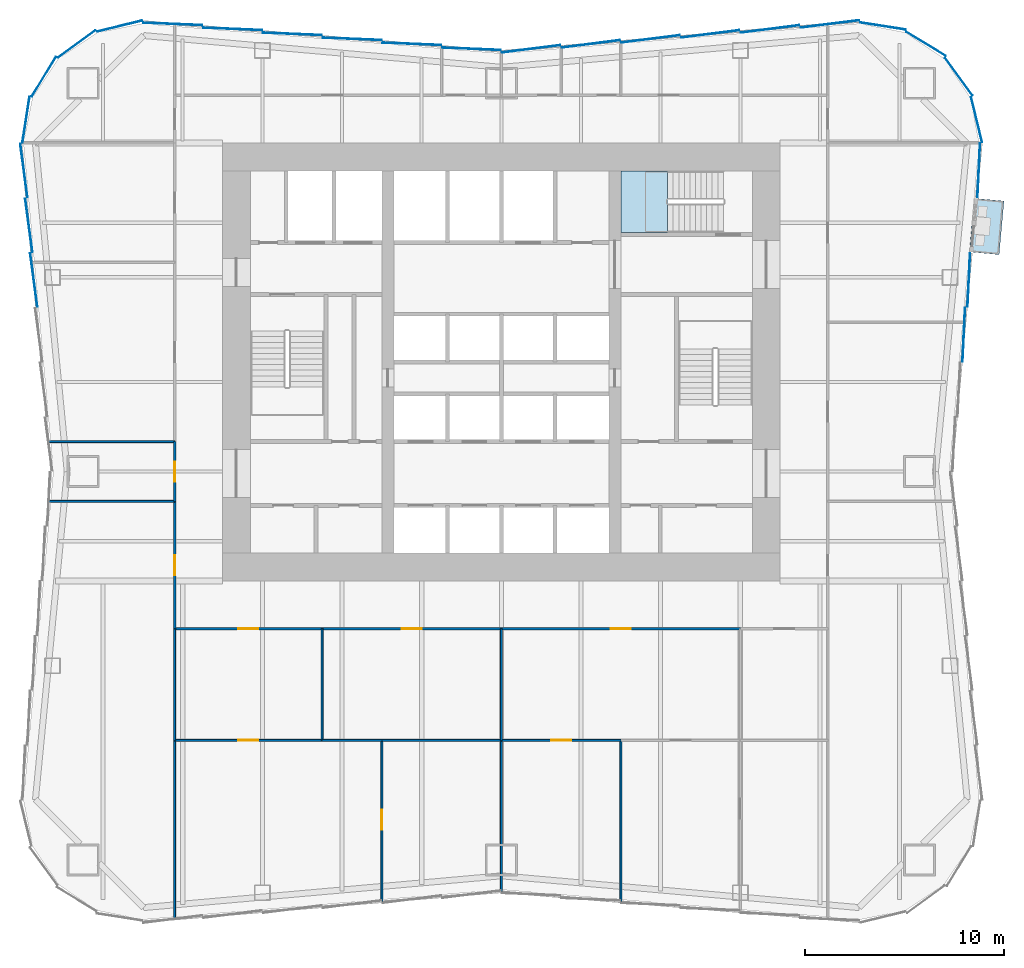
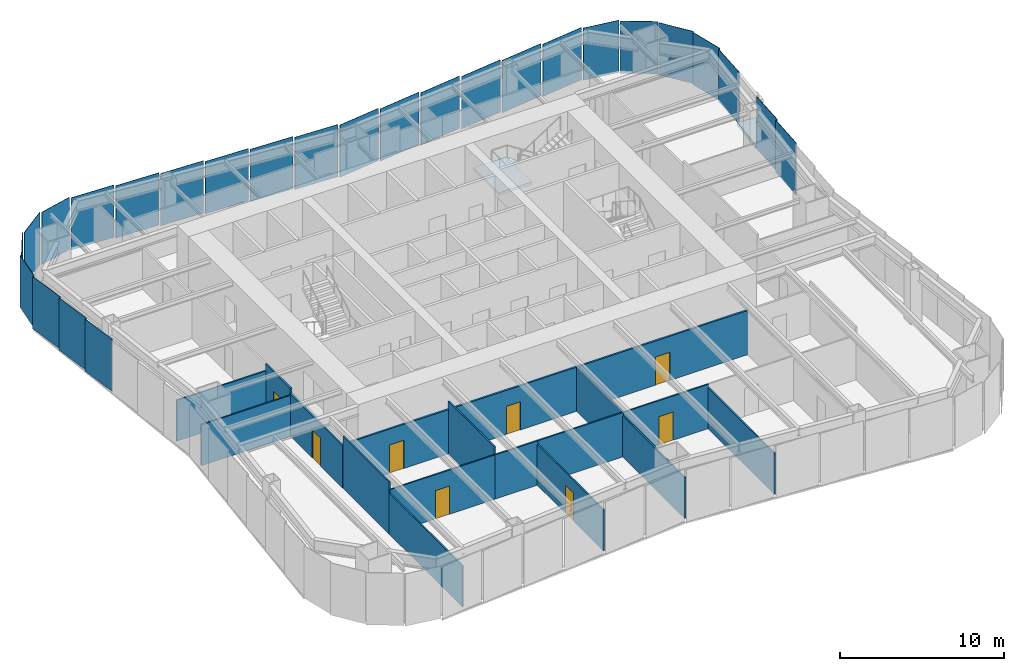
# One storey, part 3 of 8: 26 plates, 18 walls, 8 doors, 2 slabs, 8 openings, 6 elements without a shape of their own.
"""IFC4 building model written with IfcOpenShell, lengths in metres."""

from ifc_helpers import new_model, si_unit, direction, frame, frame_2d, origin, origin_2d, place, context, subcontext, project, spatial, polyline, rectangle, outline, extrude, material, layer, layer_set, type_object, element, fill, aggregate, save


model = new_model("IFC4")

# Units and contexts
model_context = context("Model", 3, precision=1e-05, world=origin(), true_north=direction((0.0, 1.0)))
body_context = subcontext(model_context, "Body", "Model", "MODEL_VIEW")
ifc_project = project(units=[si_unit("LENGTHUNIT", "METRE"), si_unit("AREAUNIT", "SQUARE_METRE"), si_unit("VOLUMEUNIT", "CUBIC_METRE"), si_unit("PLANEANGLEUNIT", "RADIAN"), si_unit("MASSUNIT", "GRAM", prefix="KILO")], contexts=[model_context])

# Site, building, storey
site_placement = place(None, origin())
site = spatial("IfcSite", under=ifc_project, at=site_placement, CompositionType="ELEMENT")
building_placement = place(site_placement, origin())
building = spatial("IfcBuilding", under=site, at=building_placement, Name="Verdant Reach Tower", CompositionType="ELEMENT")
storey_placement = place(building_placement, frame((0.0, 0.0, 18.0)))
storey = spatial("IfcBuildingStorey", under=building, at=storey_placement, Name="L03", CompositionType="ELEMENT", Elevation=18.0)

# Stair, slab
ifc_material_1 = material(Name="Concrete C40/50", Category="concrete")
stair_type = type_object("IfcStairType", Name="CO-STAIR", PredefinedType="HALF_TURN_STAIR", material=ifc_material_1)
stair_placement = place(storey_placement, origin())
stair = element("IfcStair", 1, at=stair_placement, inside=storey, type_object=stair_type, Name="L03 Exit stair 3", PredefinedType="HALF_TURN_STAIR")
ifc_layer_1 = layer(ifc_material_1, 0.199951171875)
ifc_layer_set_1 = layer_set([ifc_layer_1], Name="CO-STAIR-LANDING")
slab_type_1 = type_object("IfcSlabType", Name="CO-STAIR-LANDING", PredefinedType="LANDING", material=ifc_layer_set_1)
slab_1_placement = place(storey_placement, frame((0.0, 0.0, 1.800048828125)))
slab_1 = element("IfcSlab", 2, at=slab_1_placement, type_object=slab_type_1, Name="ST-3 landing 1", PredefinedType="LANDING", context=body_context, shape_type="SweptSolid", body=[
    extrude(outline(polyline([(8.35009765625, 37.60009765625), (6.0, 37.60009765625), (6.0, 34.5), (8.35009765625, 34.5), (8.35009765625, 37.60009765625)])), origin(), (0.0, 0.0, 1.0), 0.199951171875),
])
aggregate(stair, [slab_1])

# Slab
ifc_material_2 = material(Name="Concrete C35/45", Category="concrete")
ifc_layer_2 = layer(ifc_material_2, 0.25)
ifc_layer_set_2 = layer_set([ifc_layer_2], Name="EN-BALCONY SLAB")
slab_type_2 = type_object("IfcSlabType", Name="EN-BALCONY SLAB", PredefinedType="FLOOR", material=ifc_layer_set_2)
slab_2_placement = place(storey_placement, frame((0.0, 0.0, -0.25)))
element("IfcSlab", 3, at=slab_2_placement, inside=storey, type_object=slab_type_2, Name="Balcony slab 1, L03", PredefinedType="FLOOR", context=body_context, shape_type="SweptSolid", body=[
    extrude(outline(polyline([(23.502685546875, 33.52978515625), (23.747314453125, 36.22021484375), (25.2412109375, 36.084228515625), (24.99658203125, 33.39404296875), (23.502685546875, 33.52978515625)])), origin(), (0.0, 0.0, 1.0), 0.25),
])

# Curtain wall, plates
ifc_material_3 = material(Name="Anodised aluminium", Category="aluminium")
curtain_wall_type = type_object("IfcCurtainWallType", Name="EN-CW SYSTEM Z0", PredefinedType="NOTDEFINED", material=ifc_material_3)
curtain_wall_1_placement = place(storey_placement, origin())
curtain_wall_1 = element("IfcCurtainWall", 4, at=curtain_wall_1_placement, inside=storey, type_object=curtain_wall_type, Name="Curtain wall east, L03", PredefinedType="NOTDEFINED")
ifc_material_4 = material(Name="Tinted glass with champagne spandrel", Category="glass")
ifc_layer_3 = layer(ifc_material_4, 0.031982421875)
ifc_layer_set_3 = layer_set([ifc_layer_3], Name="EN-PANEL CHAMPAGNE")
plate_type_1 = type_object("IfcPlateType", Name="EN-PANEL CHAMPAGNE", PredefinedType="CURTAIN_PANEL", material=ifc_layer_set_3)
plate_1_placement = place(storey_placement, frame((23.224609375, 29.365966796875, -0.22998046875), z_axis=(0.0, 0.0, 1.0), x_axis=(0.04875265175, 0.998810882473, 0.0)))
plate_1 = element("IfcPlate", 5, at=plate_1_placement, type_object=plate_type_1, Name="Glass panel east face part 2 3.1, L03", PredefinedType="CURTAIN_PANEL", context=body_context, shape_type="SweptSolid", body=[
    extrude(rectangle(XDim=2.705322265625, YDim=0.031982421875, at=origin_2d()), origin(), (0.0, 0.0, 1.0), 3.8798828125),
])
plate_2_placement = place(storey_placement, frame((23.474609375, 32.115966796875, -0.22998046875), z_axis=(0.0, 0.0, 1.0), x_axis=(0.04875265175, 0.998810882473, 0.0)))
plate_2 = element("IfcPlate", 6, at=plate_2_placement, type_object=plate_type_1, Name="Glass panel east face part 2 4.1, L03", PredefinedType="CURTAIN_PANEL", context=body_context, shape_type="SweptSolid", body=[
    extrude(rectangle(XDim=2.705322265625, YDim=0.031982421875, at=origin_2d()), origin(), (0.0, 0.0, 1.0), 3.8798828125),
])

curtain_wall_2_placement = place(storey_placement, origin())
curtain_wall_2 = element("IfcCurtainWall", 7, at=curtain_wall_2_placement, inside=storey, type_object=curtain_wall_type, Name="Curtain wall north-east corner, L03", PredefinedType="NOTDEFINED")
plate_3_placement = place(storey_placement, frame((23.86767578125, 40.169921875, -0.22998046875), z_axis=(0.0, 0.0, 1.0), x_axis=(-0.236346786246, 0.97166876899, 0.0)))
plate_3 = element("IfcPlate", 8, at=plate_3_placement, type_object=plate_type_1, Name="Glass panel north-east corner 1.1, L03", PredefinedType="CURTAIN_PANEL", context=body_context, shape_type="SweptSolid", body=[
    extrude(rectangle(XDim=2.31884765625, YDim=0.031982421875, at=origin_2d()), origin(), (0.0, 0.0, 1.0), 3.8798828125),
])
plate_4_placement = place(storey_placement, frame((22.974609375, 42.32373046875, -0.22998046875), z_axis=(0.0, 0.0, 1.0), x_axis=(-0.589926778461, 0.807456745624, 0.0)))
plate_4 = element("IfcPlate", 9, at=plate_4_placement, type_object=plate_type_1, Name="Glass panel north-east corner 2.1, L03", PredefinedType="CURTAIN_PANEL", context=body_context, shape_type="SweptSolid", body=[
    extrude(rectangle(XDim=2.32421875, YDim=0.031982421875, at=origin_2d()), origin(), (0.0, 0.0, 1.0), 3.8798828125),
])
plate_5_placement = place(storey_placement, frame((21.32373046875, 43.974609375, -0.22998046875), z_axis=(0.0, 0.0, 1.0), x_axis=(-0.853988681713, 0.520291583159, 0.0)))
plate_5 = element("IfcPlate", 10, at=plate_5_placement, type_object=plate_type_1, Name="Glass panel north-east corner 3.1, L03", PredefinedType="CURTAIN_PANEL", context=body_context, shape_type="SweptSolid", body=[
    extrude(rectangle(XDim=2.32421875, YDim=0.031982421875, at=origin_2d()), origin(), (0.0, 0.0, 1.0), 3.8798828125),
])

curtain_wall_3_placement = place(storey_placement, origin())
curtain_wall_3 = element("IfcCurtainWall", 11, at=curtain_wall_3_placement, inside=storey, type_object=curtain_wall_type, Name="Curtain wall north, L03", PredefinedType="NOTDEFINED")
plate_6_placement = place(storey_placement, frame((16.498779296875, 44.974853515625, -0.22998046875), z_axis=(0.0, 0.0, 1.0), x_axis=(-0.992234176789, -0.124383835008, 0.0)))
plate_6 = element("IfcPlate", 12, at=plate_6_placement, type_object=plate_type_1, Name="Glass panel north face part 1 1.1, L03", PredefinedType="CURTAIN_PANEL", context=body_context, shape_type="SweptSolid", body=[
    extrude(rectangle(XDim=2.96826171875, YDim=0.031982421875, at=origin_2d()), origin(), (0.0, 0.0, 1.0), 3.8798828125),
])
plate_7_placement = place(storey_placement, frame((-1.495849609375, 43.724853515625, -0.22998046875), z_axis=(0.0, 0.0, 1.0), x_axis=(-0.999144450138, 0.041356592674, 0.0)))
plate_7 = element("IfcPlate", 13, at=plate_7_placement, type_object=plate_type_1, Name="Glass panel north face part 2 1.1, L03", PredefinedType="CURTAIN_PANEL", context=body_context, shape_type="SweptSolid", body=[
    extrude(rectangle(XDim=2.946044921875, YDim=0.031982421875, at=origin_2d()), origin(), (0.0, 0.0, 1.0), 3.8798828125),
])
plate_8_placement = place(storey_placement, frame((-4.49169921875, 43.974609375, -0.22998046875), z_axis=(0.0, 0.0, 1.0), x_axis=(-0.999149202059, 0.041241629766, 0.0)))
plate_8 = element("IfcPlate", 14, at=plate_8_placement, type_object=plate_type_1, Name="Glass panel north face part 2 2.1, L03", PredefinedType="CURTAIN_PANEL", context=body_context, shape_type="SweptSolid", body=[
    extrude(rectangle(XDim=2.954345703125, YDim=0.031982421875, at=origin_2d()), origin(), (0.0, 0.0, 1.0), 3.8798828125),
])
plate_9_placement = place(storey_placement, frame((-7.49169921875, 44.224609375, -0.22998046875), z_axis=(0.0, 0.0, 1.0), x_axis=(-0.999149202059, 0.041241629766, 0.0)))
plate_9 = element("IfcPlate", 15, at=plate_9_placement, type_object=plate_type_1, Name="Glass panel north face part 2 3.1, L03", PredefinedType="CURTAIN_PANEL", context=body_context, shape_type="SweptSolid", body=[
    extrude(rectangle(XDim=2.954345703125, YDim=0.031982421875, at=origin_2d()), origin(), (0.0, 0.0, 1.0), 3.8798828125),
])

# Curtain wall, plate
curtain_wall_4_placement = place(storey_placement, origin())
curtain_wall_4 = element("IfcCurtainWall", 16, at=curtain_wall_4_placement, inside=storey, type_object=curtain_wall_type, Name="Curtain wall north-west corner, L03", PredefinedType="NOTDEFINED")
plate_10_placement = place(storey_placement, frame((-19.169921875, 44.86767578125, -0.22998046875), z_axis=(0.0, 0.0, 1.0), x_axis=(-0.97166347331, -0.236368556782, 0.0)))
plate_10 = element("IfcPlate", 17, at=plate_10_placement, type_object=plate_type_1, Name="Glass panel north-west corner 1.1, L03", PredefinedType="CURTAIN_PANEL", context=body_context, shape_type="SweptSolid", body=[
    extrude(rectangle(XDim=2.318603515625, YDim=0.031982421875, at=origin_2d()), origin(), (0.0, 0.0, 1.0), 3.8798828125),
])

# Plate
ifc_material_5 = material(Name="Tinted glass with copper spandrel", Category="glass")
ifc_layer_4 = layer(ifc_material_5, 0.031982421875)
ifc_layer_set_4 = layer_set([ifc_layer_4], Name="EN-PANEL COPPER")
plate_type_2 = type_object("IfcPlateType", Name="EN-PANEL COPPER", PredefinedType="CURTAIN_PANEL", material=ifc_layer_set_4)
plate_11_placement = place(storey_placement, frame((23.974609375, 37.623046875, -0.22998046875), z_axis=(0.0, 0.0, 1.0), x_axis=(0.048382779248, 0.998828867561, 0.0)))
plate_11 = element("IfcPlate", 18, at=plate_11_placement, type_object=plate_type_2, Name="Glass panel east face part 2 6.1, L03", PredefinedType="CURTAIN_PANEL", context=body_context, shape_type="SweptSolid", body=[
    extrude(rectangle(XDim=2.7197265625, YDim=0.031982421875, at=origin_2d()), origin(), (0.0, 0.0, 1.0), 3.8798828125),
])

aggregate(curtain_wall_1, [plate_1, plate_2, plate_11])

plate_12_placement = place(storey_placement, frame((19.169921875, 44.86767578125, -0.22998046875), z_axis=(0.0, 0.0, 1.0), x_axis=(-0.98803452381, 0.154232875093, 0.0)))
plate_12 = element("IfcPlate", 19, at=plate_12_placement, type_object=plate_type_2, Name="Glass panel north-east corner 4.1, L03", PredefinedType="CURTAIN_PANEL", context=body_context, shape_type="SweptSolid", body=[
    extrude(rectangle(XDim=2.318603515625, YDim=0.031982421875, at=origin_2d()), origin(), (0.0, 0.0, 1.0), 3.8798828125),
])

aggregate(curtain_wall_2, [plate_3, plate_4, plate_5, plate_12])

plate_13_placement = place(storey_placement, frame((13.49169921875, 44.724609375, -0.22998046875), z_axis=(0.0, 0.0, 1.0), x_axis=(-0.992194034542, -0.124703639961, 0.0)))
plate_13 = element("IfcPlate", 20, at=plate_13_placement, type_object=plate_type_2, Name="Glass panel north face part 1 2.1, L03", PredefinedType="CURTAIN_PANEL", context=body_context, shape_type="SweptSolid", body=[
    extrude(rectangle(XDim=2.954345703125, YDim=0.031982421875, at=origin_2d()), origin(), (0.0, 0.0, 1.0), 3.8798828125),
])

plate_14_placement = place(storey_placement, frame((10.49169921875, 44.474609375, -0.22998046875), z_axis=(0.0, 0.0, 1.0), x_axis=(-0.992194034542, -0.124703639961, 0.0)))
plate_14 = element("IfcPlate", 21, at=plate_14_placement, type_object=plate_type_2, Name="Glass panel north face part 1 3.1, L03", PredefinedType="CURTAIN_PANEL", context=body_context, shape_type="SweptSolid", body=[
    extrude(rectangle(XDim=2.954345703125, YDim=0.031982421875, at=origin_2d()), origin(), (0.0, 0.0, 1.0), 3.8798828125),
])

plate_15_placement = place(storey_placement, frame((7.49169921875, 44.224609375, -0.22998046875), z_axis=(0.0, 0.0, 1.0), x_axis=(-0.992194034542, -0.124703639961, 0.0)))
plate_15 = element("IfcPlate", 22, at=plate_15_placement, type_object=plate_type_2, Name="Glass panel north face part 1 4.1, L03", PredefinedType="CURTAIN_PANEL", context=body_context, shape_type="SweptSolid", body=[
    extrude(rectangle(XDim=2.954345703125, YDim=0.031982421875, at=origin_2d()), origin(), (0.0, 0.0, 1.0), 3.8798828125),
])

plate_16_placement = place(storey_placement, frame((-10.49169921875, 44.474609375, -0.22998046875), z_axis=(0.0, 0.0, 1.0), x_axis=(-0.999149202059, 0.041241629766, 0.0)))
plate_16 = element("IfcPlate", 23, at=plate_16_placement, type_object=plate_type_2, Name="Glass panel north face part 2 4.1, L03", PredefinedType="CURTAIN_PANEL", context=body_context, shape_type="SweptSolid", body=[
    extrude(rectangle(XDim=2.954345703125, YDim=0.031982421875, at=origin_2d()), origin(), (0.0, 0.0, 1.0), 3.8798828125),
])

plate_17_placement = place(storey_placement, frame((-13.49169921875, 44.724609375, -0.22998046875), z_axis=(0.0, 0.0, 1.0), x_axis=(-0.999149202059, 0.041241629766, 0.0)))
plate_17 = element("IfcPlate", 24, at=plate_17_placement, type_object=plate_type_2, Name="Glass panel north face part 2 5.1, L03", PredefinedType="CURTAIN_PANEL", context=body_context, shape_type="SweptSolid", body=[
    extrude(rectangle(XDim=2.954345703125, YDim=0.031982421875, at=origin_2d()), origin(), (0.0, 0.0, 1.0), 3.8798828125),
])

plate_18_placement = place(storey_placement, frame((-21.32373046875, 43.974609375, -0.22998046875), z_axis=(0.0, 0.0, 1.0), x_axis=(-0.807456745624, -0.589926778461, 0.0)))
plate_18 = element("IfcPlate", 25, at=plate_18_placement, type_object=plate_type_2, Name="Glass panel north-west corner 2.1, L03", PredefinedType="CURTAIN_PANEL", context=body_context, shape_type="SweptSolid", body=[
    extrude(rectangle(XDim=2.32421875, YDim=0.031982421875, at=origin_2d()), origin(), (0.0, 0.0, 1.0), 3.8798828125),
])

plate_19_placement = place(storey_placement, frame((-22.974609375, 42.32373046875, -0.22998046875), z_axis=(0.0, 0.0, 1.0), x_axis=(-0.520291583159, -0.853988681713, 0.0)))
plate_19 = element("IfcPlate", 26, at=plate_19_placement, type_object=plate_type_2, Name="Glass panel north-west corner 3.1, L03", PredefinedType="CURTAIN_PANEL", context=body_context, shape_type="SweptSolid", body=[
    extrude(rectangle(XDim=2.32421875, YDim=0.031982421875, at=origin_2d()), origin(), (0.0, 0.0, 1.0), 3.8798828125),
])

plate_20_placement = place(storey_placement, frame((-23.86767578125, 40.169921875, -0.22998046875), z_axis=(0.0, 0.0, 1.0), x_axis=(-0.154210737778, -0.988037979206, 0.0)))
plate_20 = element("IfcPlate", 27, at=plate_20_placement, type_object=plate_type_2, Name="Glass panel north-west corner 4.1, L03", PredefinedType="CURTAIN_PANEL", context=body_context, shape_type="SweptSolid", body=[
    extrude(rectangle(XDim=2.31884765625, YDim=0.031982421875, at=origin_2d()), origin(), (0.0, 0.0, 1.0), 3.8798828125),
])

aggregate(curtain_wall_4, [plate_10, plate_18, plate_19, plate_20])

# Curtain wall, plates
curtain_wall_5_placement = place(storey_placement, origin())
curtain_wall_5 = element("IfcCurtainWall", 28, at=curtain_wall_5_placement, inside=storey, type_object=curtain_wall_type, Name="Curtain wall west, L03", PredefinedType="NOTDEFINED")
plate_21_placement = place(storey_placement, frame((-23.974609375, 37.623046875, -0.22998046875), z_axis=(0.0, 0.0, 1.0), x_axis=(0.131792939527, -0.991277267514, 0.0)))
plate_21 = element("IfcPlate", 29, at=plate_21_placement, type_object=plate_type_2, Name="Glass panel west face part 1 1.1, L03", PredefinedType="CURTAIN_PANEL", context=body_context, shape_type="SweptSolid", body=[
    extrude(rectangle(XDim=2.7197265625, YDim=0.031982421875, at=origin_2d()), origin(), (0.0, 0.0, 1.0), 3.8798828125),
])
plate_22_placement = place(storey_placement, frame((-23.724609375, 34.865966796875, -0.22998046875), z_axis=(0.0, 0.0, 1.0), x_axis=(0.132160009881, -0.99122839537, 0.0)))
plate_22 = element("IfcPlate", 30, at=plate_22_placement, type_object=plate_type_2, Name="Glass panel west face part 1 2.1, L03", PredefinedType="CURTAIN_PANEL", context=body_context, shape_type="SweptSolid", body=[
    extrude(rectangle(XDim=2.705322265625, YDim=0.031982421875, at=origin_2d()), origin(), (0.0, 0.0, 1.0), 3.8798828125),
])

# Plate
ifc_material_6 = material(Name="Tinted glass with dark bronze spandrel", Category="glass")
ifc_layer_5 = layer(ifc_material_6, 0.031982421875)
ifc_layer_set_5 = layer_set([ifc_layer_5], Name="EN-PANEL DARK")
plate_type_3 = type_object("IfcPlateType", Name="EN-PANEL DARK", PredefinedType="CURTAIN_PANEL", material=ifc_layer_set_5)
plate_23_placement = place(storey_placement, frame((4.49169921875, 43.974609375, -0.22998046875), z_axis=(0.0, 0.0, 1.0), x_axis=(-0.992194034542, -0.124703639961, 0.0)))
plate_23 = element("IfcPlate", 31, at=plate_23_placement, type_object=plate_type_3, Name="Glass panel north face part 1 5.1, L03", PredefinedType="CURTAIN_PANEL", context=body_context, shape_type="SweptSolid", body=[
    extrude(rectangle(XDim=2.954345703125, YDim=0.031982421875, at=origin_2d()), origin(), (0.0, 0.0, 1.0), 3.8798828125),
])

plate_24_placement = place(storey_placement, frame((1.495849609375, 43.724853515625, -0.22998046875), z_axis=(0.0, 0.0, 1.0), x_axis=(-0.992179679439, -0.124817802047, 0.0)))
plate_24 = element("IfcPlate", 32, at=plate_24_placement, type_object=plate_type_3, Name="Glass panel north face part 1 6.1, L03", PredefinedType="CURTAIN_PANEL", context=body_context, shape_type="SweptSolid", body=[
    extrude(rectangle(XDim=2.946044921875, YDim=0.031982421875, at=origin_2d()), origin(), (0.0, 0.0, 1.0), 3.8798828125),
])

plate_25_placement = place(storey_placement, frame((-16.498779296875, 44.974853515625, -0.22998046875), z_axis=(0.0, 0.0, 1.0), x_axis=(-0.999162442933, 0.040919587398, 0.0)))
plate_25 = element("IfcPlate", 33, at=plate_25_placement, type_object=plate_type_3, Name="Glass panel north face part 2 6.1, L03", PredefinedType="CURTAIN_PANEL", context=body_context, shape_type="SweptSolid", body=[
    extrude(rectangle(XDim=2.96826171875, YDim=0.031982421875, at=origin_2d()), origin(), (0.0, 0.0, 1.0), 3.8798828125),
])

aggregate(curtain_wall_3, [plate_6, plate_13, plate_14, plate_15, plate_23, plate_24, plate_7, plate_8, plate_9, plate_16, plate_17, plate_25])

plate_26_placement = place(storey_placement, frame((-23.474609375, 32.115966796875, -0.22998046875), z_axis=(0.0, 0.0, 1.0), x_axis=(0.132160009881, -0.99122839537, 0.0)))
plate_26 = element("IfcPlate", 34, at=plate_26_placement, type_object=plate_type_3, Name="Glass panel west face part 1 3.1, L03", PredefinedType="CURTAIN_PANEL", context=body_context, shape_type="SweptSolid", body=[
    extrude(rectangle(XDim=2.705322265625, YDim=0.031982421875, at=origin_2d()), origin(), (0.0, 0.0, 1.0), 3.8798828125),
])

aggregate(curtain_wall_5, [plate_21, plate_22, plate_26])

# Wall
ifc_material_7 = material(Name="Gypsum board on steel studs", Category="steel")
ifc_layer_6 = layer(ifc_material_7, 0.10009765625)
ifc_layer_set_6 = layer_set([ifc_layer_6], Name="FL-W1 Partition 100")
wall_type_1 = type_object("IfcWallType", Name="FL-W1 Partition 100", PredefinedType="PARTITIONING", material=ifc_layer_set_6)
wall_1_placement = place(storey_placement, frame((-9.0, 9.0, 0.0), z_axis=(0.0, 0.0, 1.0), x_axis=(0.0, 1.0, 0.0)))
element("IfcWall", 35, at=wall_1_placement, inside=storey, type_object=wall_type_1, Name="Partition 03.19", PredefinedType="PARTITIONING", context=body_context, shape_type="SweptSolid", body=[
    extrude(rectangle(XDim=5.60009765625, YDim=0.10009765625, at=frame_2d((2.800048828125, 0.0))), origin(), (0.0, 0.0, 1.0), 3.8701171875),
])

# Wall, opening, door
wall_2_placement = place(storey_placement, frame((-8.99609375, 9.0, 0.0), z_axis=(0.0, 0.0, 1.0), x_axis=(-1.0, 0.0, 0.0)))
wall_2 = element("IfcWall", 36, at=wall_2_placement, inside=storey, type_object=wall_type_1, Name="Partition 03.20", PredefinedType="PARTITIONING", context=body_context, shape_type="SweptSolid", body=[
    extrude(rectangle(XDim=7.40380859375, YDim=0.10009765625, at=frame_2d((3.701904296875, 0.0))), origin(), (0.0, 0.0, 1.0), 3.2900390625),
])
opening_1_placement = place(wall_2_placement, frame((3.201904296875, 0.0, 0.0)))
opening_1 = element("IfcOpeningElement", 37, at=opening_1_placement, cuts=wall_2, Name="Opening D3", PredefinedType="OPENING", context=body_context, shape_type="SweptSolid", body=[
    extrude(rectangle(XDim=1.0, YDim=2.10009765625, at=frame_2d((0.5, 1.050048828125))), frame((0.0, 0.06005859375, 0.0), z_axis=(0.0, -1.0, 0.0), x_axis=(1.0, 0.0, 0.0)), (0.0, 0.0, 1.0), 0.1201171875),
])
ifc_material_8 = material(Name="Painted timber door leaf", Category="wood")
door_type_1 = type_object("IfcDoorType", Name="FL-D3 Door 1000x2100", OperationType="NOTDEFINED", PredefinedType="DOOR", material=ifc_material_8)
door_1_placement = place(opening_1_placement, origin())
door_1 = element("IfcDoor", 38, at=door_1_placement, inside=storey, type_object=door_type_1, Name="Door 03-019", OperationType="SINGLE_SWING_LEFT", OverallHeight=2.10009765625, OverallWidth=1.0, PredefinedType="DOOR", context=body_context, shape_type="SweptSolid", body=[
    extrude(rectangle(XDim=1.0, YDim=2.10009765625, at=frame_2d((0.5, 1.050048828125))), frame((0.0, 0.02490234375, 0.0), z_axis=(0.0, -1.0, 0.0), x_axis=(1.0, 0.0, 0.0)), (0.0, 0.0, 1.0), 0.050048828125),
])
fill(opening_1, door_1)

# Walls
wall_3_placement = place(storey_placement, frame((-16.39990234375, 14.60400390625, 0.0), z_axis=(0.0, 0.0, 1.0), x_axis=(0.0, -1.0, 0.0)))
element("IfcWall", 39, at=wall_3_placement, inside=storey, type_object=wall_type_1, Name="Partition 03.21", PredefinedType="PARTITIONING", context=body_context, shape_type="SweptSolid", body=[
    extrude(rectangle(XDim=5.60791015625, YDim=0.10009765625, at=frame_2d((2.803955078125, 0.0))), origin(), (0.0, 0.0, 1.0), 3.8701171875),
])
wall_4_placement = place(storey_placement, frame((0.0, 9.0, 0.0), z_axis=(0.0, 0.0, 1.0), x_axis=(0.0, 1.0, 0.0)))
element("IfcWall", 40, at=wall_4_placement, inside=storey, type_object=wall_type_1, Name="Partition 03.22", PredefinedType="PARTITIONING", context=body_context, shape_type="SweptSolid", body=[
    extrude(rectangle(XDim=5.60009765625, YDim=0.10009765625, at=frame_2d((2.800048828125, 0.0))), origin(), (0.0, 0.0, 1.0), 3.340087890625),
])
wall_5_placement = place(storey_placement, frame((-9.00390625, 9.0, 0.0), z_axis=(0.0, 0.0, 1.0), x_axis=(1.0, 0.0, 0.0)))
element("IfcWall", 41, at=wall_5_placement, inside=storey, type_object=wall_type_1, Name="Partition 03.23", PredefinedType="PARTITIONING", context=body_context, shape_type="SweptSolid", body=[
    extrude(rectangle(XDim=3.00390625, YDim=0.10009765625, at=frame_2d((1.501953125, 0.0))), origin(), (0.0, 0.0, 1.0), 3.2900390625),
])
wall_6_placement = place(storey_placement, frame((-6.0, 9.0, 0.0), z_axis=(0.0, 0.0, 1.0), x_axis=(1.0, 0.0, 0.0)))
element("IfcWall", 42, at=wall_6_placement, inside=storey, type_object=wall_type_1, Name="Partition 03.24", PredefinedType="PARTITIONING", context=body_context, shape_type="SweptSolid", body=[
    extrude(rectangle(XDim=6.0, YDim=0.10009765625, at=frame_2d((3.0, 0.0))), origin(), (0.0, 0.0, 1.0), 3.2900390625),
])

# Wall, opening, door
wall_7_placement = place(storey_placement, frame((6.0, 9.0, 0.0), z_axis=(0.0, 0.0, 1.0), x_axis=(-1.0, 0.0, 0.0)))
wall_7 = element("IfcWall", 43, at=wall_7_placement, inside=storey, type_object=wall_type_1, Name="Partition 03.26", PredefinedType="PARTITIONING", context=body_context, shape_type="SweptSolid", body=[
    extrude(rectangle(XDim=6.0, YDim=0.10009765625, at=frame_2d((3.0, 0.0))), origin(), (0.0, 0.0, 1.0), 3.2900390625),
])
opening_2_placement = place(wall_7_placement, frame((2.5, 0.0, 0.0)))
opening_2 = element("IfcOpeningElement", 44, at=opening_2_placement, cuts=wall_7, Name="Opening D3", PredefinedType="OPENING", context=body_context, shape_type="SweptSolid", body=[
    extrude(rectangle(XDim=1.0, YDim=2.10009765625, at=frame_2d((0.5, 1.050048828125))), frame((0.0, 0.06005859375, 0.0), z_axis=(0.0, -1.0, 0.0), x_axis=(1.0, 0.0, 0.0)), (0.0, 0.0, 1.0), 0.1201171875),
])
door_2_placement = place(opening_2_placement, origin())
door_2 = element("IfcDoor", 45, at=door_2_placement, inside=storey, type_object=door_type_1, Name="Door 03-020", OperationType="SINGLE_SWING_RIGHT", OverallHeight=2.10009765625, OverallWidth=1.0, PredefinedType="DOOR", context=body_context, shape_type="SweptSolid", body=[
    extrude(rectangle(XDim=1.0, YDim=2.10009765625, at=frame_2d((0.5, 1.050048828125))), frame((0.0, 0.02490234375, 0.0), z_axis=(0.0, -1.0, 0.0), x_axis=(1.0, 0.0, 0.0)), (0.0, 0.0, 1.0), 0.050048828125),
])
fill(opening_2, door_2)

wall_8_placement = place(storey_placement, frame((-6.0, 9.0, 0.0), z_axis=(0.0, 0.0, 1.0), x_axis=(0.0, -1.0, 0.0)))
wall_8 = element("IfcWall", 46, at=wall_8_placement, inside=storey, type_object=wall_type_1, Name="Partition 03.30", PredefinedType="PARTITIONING", context=body_context, shape_type="SweptSolid", body=[
    extrude(rectangle(XDim=8.080078125, YDim=0.10009765625, at=frame_2d((4.0400390625, 0.0))), origin(), (0.0, 0.0, 1.0), 3.0400390625),
])
opening_3_placement = place(wall_8_placement, frame((3.474853515625, 0.0, 0.0)))
opening_3 = element("IfcOpeningElement", 47, at=opening_3_placement, cuts=wall_8, Name="Opening D3", PredefinedType="OPENING", context=body_context, shape_type="SweptSolid", body=[
    extrude(rectangle(XDim=1.0, YDim=2.10009765625, at=frame_2d((0.5, 1.050048828125))), frame((0.0, 0.06005859375, 0.0), z_axis=(0.0, -1.0, 0.0), x_axis=(1.0, 0.0, 0.0)), (0.0, 0.0, 1.0), 0.1201171875),
])
door_3_placement = place(opening_3_placement, origin())
door_3 = element("IfcDoor", 48, at=door_3_placement, inside=storey, type_object=door_type_1, Name="Door 03-022", OperationType="SINGLE_SWING_LEFT", OverallHeight=2.10009765625, OverallWidth=1.0, PredefinedType="DOOR", context=body_context, shape_type="SweptSolid", body=[
    extrude(rectangle(XDim=1.0, YDim=2.10009765625, at=frame_2d((0.5, 1.050048828125))), frame((0.0, 0.02490234375, 0.0), z_axis=(0.0, -1.0, 0.0), x_axis=(1.0, 0.0, 0.0)), (0.0, 0.0, 1.0), 0.050048828125),
])
fill(opening_3, door_3)

# Walls
wall_9_placement = place(storey_placement, frame((-16.39990234375, 9.00390625, 0.0), z_axis=(0.0, 0.0, 1.0), x_axis=(0.0, -1.0, 0.0)))
element("IfcWall", 49, at=wall_9_placement, inside=storey, type_object=wall_type_1, Name="Partition 03.31", PredefinedType="PARTITIONING", context=body_context, shape_type="SweptSolid", body=[
    extrude(rectangle(XDim=8.95068359375, YDim=0.10009765625, at=frame_2d((4.475341796875, 0.0))), origin(), (0.0, 0.0, 1.0), 3.0400390625),
])
wall_10_placement = place(storey_placement, frame((0.0, 1.419921875, 0.0), z_axis=(0.0, 0.0, 1.0), x_axis=(0.0, 1.0, 0.0)))
element("IfcWall", 50, at=wall_10_placement, inside=storey, type_object=wall_type_1, Name="Partition 03.32", PredefinedType="PARTITIONING", context=body_context, shape_type="SweptSolid", body=[
    extrude(rectangle(XDim=7.580078125, YDim=0.10009765625, at=frame_2d((3.7900390625, 0.0))), origin(), (0.0, 0.0, 1.0), 3.0400390625),
])
wall_11_placement = place(storey_placement, frame((6.0, 0.919921875, 0.0), z_axis=(0.0, 0.0, 1.0), x_axis=(0.0, 1.0, 0.0)))
element("IfcWall", 51, at=wall_11_placement, inside=storey, type_object=wall_type_1, Name="Partition 03.33", PredefinedType="PARTITIONING", context=body_context, shape_type="SweptSolid", body=[
    extrude(rectangle(XDim=8.080078125, YDim=0.10009765625, at=frame_2d((4.0400390625, 0.0))), origin(), (0.0, 0.0, 1.0), 3.0400390625),
])
for number, where, z_axis, x_axis, name in (
    (52, (-16.39990234375, 21.0, 0.0), (0.0, 0.0, 1.0), (-1.0, 0.0, 0.0), "Partition 03.42"),
    (53, (-16.39990234375, 24.0, 0.0), (0.0, 0.0, 1.0), (-1.0, 0.0, 0.0), "Partition 03.43"),
):
    element("IfcWall", number, at=place(storey_placement, frame(where, z_axis=z_axis, x_axis=x_axis)), inside=storey, type_object=wall_type_1, Name=name, PredefinedType="PARTITIONING", context=body_context, shape_type="SweptSolid", body=[
        extrude(rectangle(XDim=6.31640625, YDim=0.10009765625, at=frame_2d((3.158203125, 0.0))), origin(), (0.0, 0.0, 1.0), 3.0400390625),
    ])

# Wall, opening, door
ifc_material_9 = material(Name="Gypsum board on steel studs, fire rated", Category="steel")
ifc_layer_7 = layer(ifc_material_9, 0.125)
ifc_layer_set_7 = layer_set([ifc_layer_7], Name="FL-W2 Corridor wall 125")
wall_type_2 = type_object("IfcWallType", Name="FL-W2 Corridor wall 125", PredefinedType="PARTITIONING", material=ifc_layer_set_7)
wall_12_placement = place(storey_placement, frame((-9.0, 14.60009765625, 0.0), z_axis=(0.0, 0.0, 1.0), x_axis=(-1.0, 0.0, 0.0)))
wall_12 = element("IfcWall", 54, at=wall_12_placement, inside=storey, type_object=wall_type_2, Name="Partition 03.01", PredefinedType="PARTITIONING", context=body_context, shape_type="SweptSolid", body=[
    extrude(rectangle(XDim=7.39990234375, YDim=0.125, at=frame_2d((3.699951171875, 0.0))), origin(), (0.0, 0.0, 1.0), 3.2900390625),
])
opening_4_placement = place(wall_12_placement, frame((3.199951171875, 0.0, 0.0)))
opening_4 = element("IfcOpeningElement", 55, at=opening_4_placement, cuts=wall_12, Name="Opening D2", PredefinedType="OPENING", context=body_context, shape_type="SweptSolid", body=[
    extrude(rectangle(XDim=1.0, YDim=2.10009765625, at=frame_2d((0.5, 1.050048828125))), frame((0.0, 0.072509765625, 0.0), z_axis=(0.0, -1.0, 0.0), x_axis=(1.0, 0.0, 0.0)), (0.0, 0.0, 1.0), 0.14501953125),
])
ifc_material_10 = material(Name="Timber door leaf, fire rated", Category="wood")
door_type_2 = type_object("IfcDoorType", Name="FL-D2 Entrance door 1000x2100 FD30", OperationType="NOTDEFINED", PredefinedType="DOOR", material=ifc_material_10)
door_4_placement = place(opening_4_placement, origin())
door_4 = element("IfcDoor", 56, at=door_4_placement, inside=storey, type_object=door_type_2, Name="Door 03-001", OperationType="SINGLE_SWING_LEFT", OverallHeight=2.10009765625, OverallWidth=1.0, PredefinedType="DOOR", context=body_context, shape_type="SweptSolid", body=[
    extrude(rectangle(XDim=1.0, YDim=2.10009765625, at=frame_2d((0.5, 1.050048828125))), frame((0.0, 0.02490234375, 0.0), z_axis=(0.0, -1.0, 0.0), x_axis=(1.0, 0.0, 0.0)), (0.0, 0.0, 1.0), 0.050048828125),
])
fill(opening_4, door_4)

wall_13_placement = place(storey_placement, frame((0.0, 14.60009765625, 0.0), z_axis=(0.0, 0.0, 1.0), x_axis=(-1.0, 0.0, 0.0)))
wall_13 = element("IfcWall", 57, at=wall_13_placement, inside=storey, type_object=wall_type_2, Name="Partition 03.02", PredefinedType="PARTITIONING", context=body_context, shape_type="SweptSolid", body=[
    extrude(rectangle(XDim=9.0, YDim=0.125, at=frame_2d((4.5, 0.0))), origin(), (0.0, 0.0, 1.0), 3.2900390625),
])
opening_5_placement = place(wall_13_placement, frame((4.0, 0.0, 0.0)))
opening_5 = element("IfcOpeningElement", 58, at=opening_5_placement, cuts=wall_13, Name="Opening D2", PredefinedType="OPENING", context=body_context, shape_type="SweptSolid", body=[
    extrude(rectangle(XDim=1.0, YDim=2.10009765625, at=frame_2d((0.5, 1.050048828125))), frame((0.0, 0.072509765625, 0.0), z_axis=(0.0, -1.0, 0.0), x_axis=(1.0, 0.0, 0.0)), (0.0, 0.0, 1.0), 0.14501953125),
])
door_5_placement = place(opening_5_placement, origin())
door_5 = element("IfcDoor", 59, at=door_5_placement, inside=storey, type_object=door_type_2, Name="Door 03-002", OperationType="SINGLE_SWING_RIGHT", OverallHeight=2.10009765625, OverallWidth=1.0, PredefinedType="DOOR", context=body_context, shape_type="SweptSolid", body=[
    extrude(rectangle(XDim=1.0, YDim=2.10009765625, at=frame_2d((0.5, 1.050048828125))), frame((0.0, 0.02490234375, 0.0), z_axis=(0.0, -1.0, 0.0), x_axis=(1.0, 0.0, 0.0)), (0.0, 0.0, 1.0), 0.050048828125),
])
fill(opening_5, door_5)

wall_14_placement = place(storey_placement, frame((0.0, 14.60009765625, 0.0), z_axis=(0.0, 0.0, 1.0), x_axis=(1.0, 0.0, 0.0)))
wall_14 = element("IfcWall", 60, at=wall_14_placement, inside=storey, type_object=wall_type_2, Name="Partition 03.03", PredefinedType="PARTITIONING", context=body_context, shape_type="SweptSolid", body=[
    extrude(rectangle(XDim=12.0, YDim=0.125, at=frame_2d((6.0, 0.0))), origin(), (0.0, 0.0, 1.0), 3.2900390625),
])
opening_6_placement = place(wall_14_placement, frame((5.5, 0.0, 0.0)))
opening_6 = element("IfcOpeningElement", 61, at=opening_6_placement, cuts=wall_14, Name="Opening D2", PredefinedType="OPENING", context=body_context, shape_type="SweptSolid", body=[
    extrude(rectangle(XDim=1.0, YDim=2.10009765625, at=frame_2d((0.5, 1.050048828125))), frame((0.0, 0.072509765625, 0.0), z_axis=(0.0, -1.0, 0.0), x_axis=(1.0, 0.0, 0.0)), (0.0, 0.0, 1.0), 0.14501953125),
])
door_6_placement = place(opening_6_placement, origin())
door_6 = element("IfcDoor", 62, at=door_6_placement, inside=storey, type_object=door_type_2, Name="Door 03-003", OperationType="SINGLE_SWING_LEFT", OverallHeight=2.10009765625, OverallWidth=1.0, PredefinedType="DOOR", context=body_context, shape_type="SweptSolid", body=[
    extrude(rectangle(XDim=1.0, YDim=2.10009765625, at=frame_2d((0.5, 1.050048828125))), frame((0.0, 0.02490234375, 0.0), z_axis=(0.0, -1.0, 0.0), x_axis=(1.0, 0.0, 0.0)), (0.0, 0.0, 1.0), 0.050048828125),
])
fill(opening_6, door_6)

wall_15_placement = place(storey_placement, frame((-16.39990234375, 14.595947265625, 0.0), z_axis=(0.0, 0.0, 1.0), x_axis=(0.0, 1.0, 0.0)))
wall_15 = element("IfcWall", 63, at=wall_15_placement, inside=storey, type_object=wall_type_2, Name="Partition 03.10", PredefinedType="PARTITIONING", context=body_context, shape_type="SweptSolid", body=[
    extrude(rectangle(XDim=6.404052734375, YDim=0.125, at=frame_2d((3.2021484375, 0.0))), origin(), (0.0, 0.0, 1.0), 3.139892578125),
])
opening_7_placement = place(wall_15_placement, frame((2.701904296875, 0.0, 0.0)))
opening_7 = element("IfcOpeningElement", 64, at=opening_7_placement, cuts=wall_15, Name="Opening D2", PredefinedType="OPENING", context=body_context, shape_type="SweptSolid", body=[
    extrude(rectangle(XDim=1.0, YDim=2.10009765625, at=frame_2d((0.5, 1.050048828125))), frame((0.0, 0.072509765625, 0.0), z_axis=(0.0, -1.0, 0.0), x_axis=(1.0, 0.0, 0.0)), (0.0, 0.0, 1.0), 0.14501953125),
])
door_7_placement = place(opening_7_placement, origin())
door_7 = element("IfcDoor", 65, at=door_7_placement, inside=storey, type_object=door_type_2, Name="Door 03-010", OperationType="SINGLE_SWING_RIGHT", OverallHeight=2.10009765625, OverallWidth=1.0, PredefinedType="DOOR", context=body_context, shape_type="SweptSolid", body=[
    extrude(rectangle(XDim=1.0, YDim=2.10009765625, at=frame_2d((0.5, 1.050048828125))), frame((0.0, 0.02490234375, 0.0), z_axis=(0.0, -1.0, 0.0), x_axis=(1.0, 0.0, 0.0)), (0.0, 0.0, 1.0), 0.050048828125),
])
fill(opening_7, door_7)

wall_16_placement = place(storey_placement, frame((-16.39990234375, 21.0, 0.0), z_axis=(0.0, 0.0, 1.0), x_axis=(0.0, 1.0, 0.0)))
wall_16 = element("IfcWall", 66, at=wall_16_placement, inside=storey, type_object=wall_type_2, Name="Partition 03.11", PredefinedType="PARTITIONING", context=body_context, shape_type="SweptSolid", body=[
    extrude(rectangle(XDim=3.0, YDim=0.125, at=frame_2d((1.5, 0.0))), origin(), (0.0, 0.0, 1.0), 3.5400390625),
])
opening_8_placement = place(wall_16_placement, frame((1.0, 0.0, 0.0)))
opening_8 = element("IfcOpeningElement", 67, at=opening_8_placement, cuts=wall_16, Name="Opening D2", PredefinedType="OPENING", context=body_context, shape_type="SweptSolid", body=[
    extrude(rectangle(XDim=1.0, YDim=2.10009765625, at=frame_2d((0.5, 1.050048828125))), frame((0.0, 0.072509765625, 0.0), z_axis=(0.0, -1.0, 0.0), x_axis=(1.0, 0.0, 0.0)), (0.0, 0.0, 1.0), 0.14501953125),
])
door_8_placement = place(opening_8_placement, origin())
door_8 = element("IfcDoor", 68, at=door_8_placement, inside=storey, type_object=door_type_2, Name="Door 03-011", OperationType="SINGLE_SWING_LEFT", OverallHeight=2.10009765625, OverallWidth=1.0, PredefinedType="DOOR", context=body_context, shape_type="SweptSolid", body=[
    extrude(rectangle(XDim=1.0, YDim=2.10009765625, at=frame_2d((0.5, 1.050048828125))), frame((0.0, 0.02490234375, 0.0), z_axis=(0.0, -1.0, 0.0), x_axis=(1.0, 0.0, 0.0)), (0.0, 0.0, 1.0), 0.050048828125),
])
fill(opening_8, door_8)

save(model, "model.ifc")
